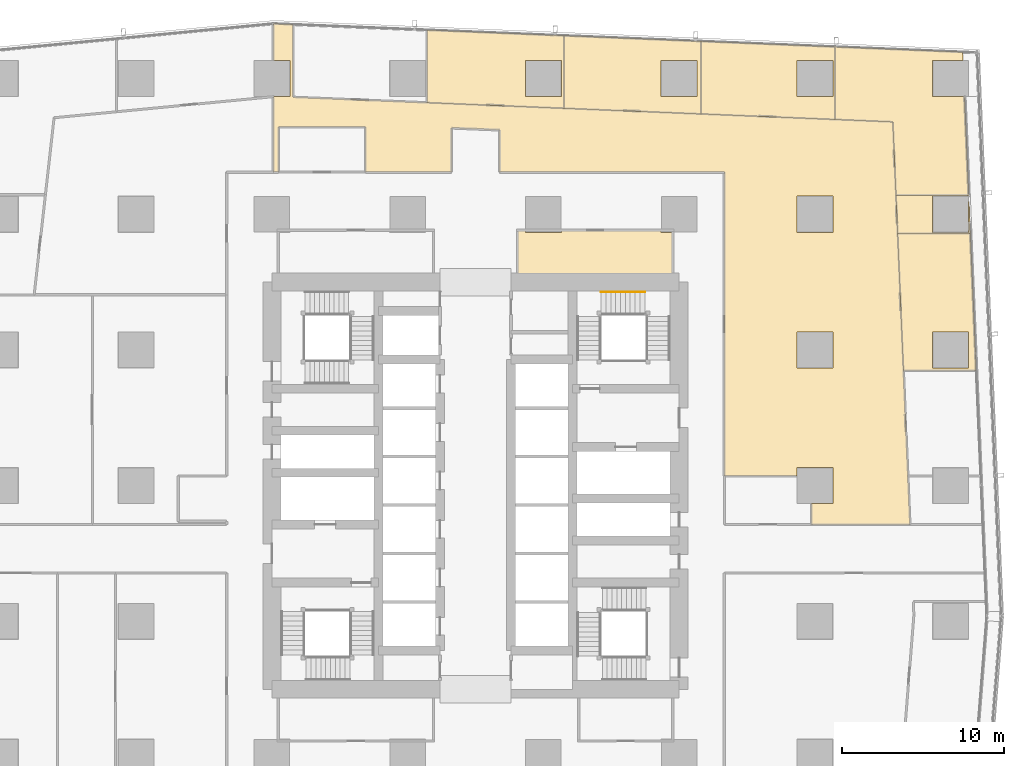
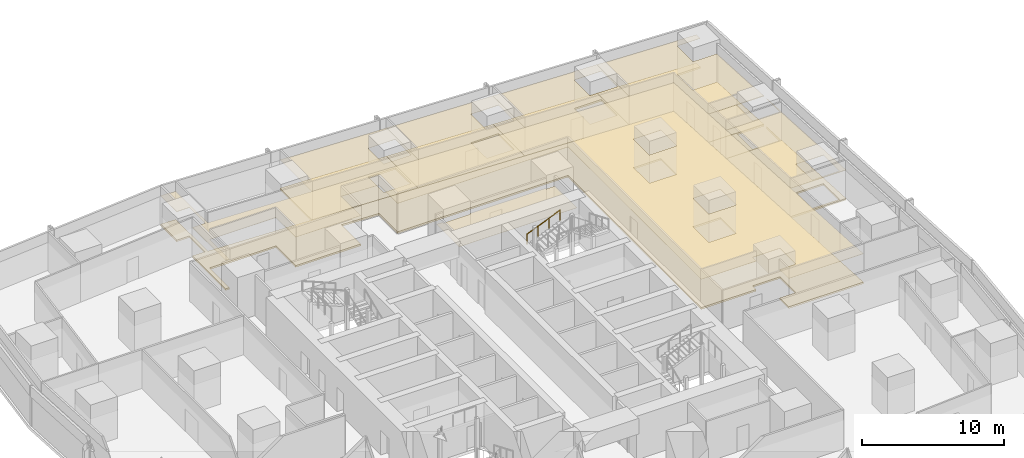
# One storey, part 45 of 45: 15 coverings, 1 railing.
"""IFC4 building model written with IfcOpenShell, lengths in metres."""

from ifc_helpers import new_model, si_unit, direction, frame, origin, origin_2d, place, context, subcontext, project, spatial, polyline, circle, outline, extrude, material, layer, layer_set, type_object, element, save


model = new_model("IFC4")

# Units and contexts
model_context = context("Model", 3, precision=1e-05, world=origin(), true_north=direction((0.0, 1.0)))
body_context = subcontext(model_context, "Body", "Model", "MODEL_VIEW")
ifc_project = project(units=[si_unit("LENGTHUNIT", "METRE"), si_unit("AREAUNIT", "SQUARE_METRE"), si_unit("VOLUMEUNIT", "CUBIC_METRE"), si_unit("PLANEANGLEUNIT", "RADIAN"), si_unit("MASSUNIT", "GRAM", prefix="KILO")], contexts=[model_context])

# Site, building, storey
site_placement = place(None, origin())
site = spatial("IfcSite", under=ifc_project, at=site_placement, CompositionType="ELEMENT")
building_placement = place(site_placement, origin())
building = spatial("IfcBuilding", under=site, at=building_placement, Name="Rekha Terrace Tower", CompositionType="ELEMENT")
storey_placement = place(building_placement, frame((0.0, 0.0, 36.64990234375)))
storey = spatial("IfcBuildingStorey", under=building, at=storey_placement, Name="L08", CompositionType="ELEMENT", Elevation=36.64990234375)

# Coverings
ifc_material_1 = material(Name="Mineral fibre tile in exposed grid", Category="finish")
ifc_layer_1 = layer(ifc_material_1, 0.02001953125)
ifc_layer_set_1 = layer_set([ifc_layer_1], Name="Mineral fibre tile in exposed grid")
covering_type_1 = type_object("IfcCoveringType", Name="CL1 600x1200 office grid ceiling", PredefinedType="CEILING", material=ifc_layer_set_1)
covering_1_placement = place(storey_placement, frame((0.0, 0.0, 2.580078125)))
element("IfcCovering", 1, at=covering_1_placement, inside=storey, type_object=covering_type_1, Name="Ceiling L08-11", PredefinedType="CEILING", context=body_context, shape_type="SweptSolid", body=[
    extrude(outline(polyline([(68.426025390625, 49.201904296875), (63.922119140625, 49.201904296875), (64.283935546875, 40.736083984375), (68.7880859375, 40.736083984375), (68.426025390625, 49.201904296875)]), holes=[polyline([(68.31494140625, 40.885009765625), (66.0849609375, 40.885009765625), (66.0849609375, 43.114990234375), (68.31494140625, 43.114990234375), (68.31494140625, 40.885009765625)])]), origin(), (0.0, 0.0, 1.0), 0.02001953125),
])
covering_2_placement = place(storey_placement, frame((0.0, 0.0, 2.580078125)))
element("IfcCovering", 2, at=covering_2_placement, inside=storey, type_object=covering_type_1, Name="Ceiling L08-12", PredefinedType="CEILING", context=body_context, shape_type="SweptSolid", body=[
    extrude(outline(polyline([(68.325927734375, 51.555908203125), (63.822021484375, 51.555908203125), (63.922119140625, 49.202880859375), (68.426025390625, 49.202880859375), (68.342041015625, 51.18408203125), (68.31494140625, 51.18310546875), (68.31494140625, 49.284912109375), (66.0849609375, 49.284912109375), (66.0849609375, 51.514892578125), (68.327880859375, 51.514892578125), (68.325927734375, 51.555908203125)])), origin(), (0.0, 0.0, 1.0), 0.02001953125),
])
covering_3_placement = place(storey_placement, frame((0.0, 0.0, 2.580078125)))
element("IfcCovering", 3, at=covering_3_placement, inside=storey, type_object=covering_type_1, Name="Ceiling L08-13", PredefinedType="CEILING", context=body_context, shape_type="SweptSolid", body=[
    extrude(outline(polyline([(60.0390625, 56.264892578125), (63.626953125, 56.116943359375), (63.822021484375, 51.556884765625), (68.325927734375, 51.556884765625), (68.06396484375, 57.68505859375), (66.0849609375, 57.68505859375), (66.0849609375, 59.9150390625), (67.968994140625, 59.9150390625), (67.946044921875, 60.443115234375), (60.0390625, 60.76904296875), (60.0390625, 56.264892578125)])), origin(), (0.0, 0.0, 1.0), 0.02001953125),
])
covering_4_placement = place(storey_placement, frame((0.0, 0.0, 2.580078125)))
element("IfcCovering", 4, at=covering_4_placement, inside=storey, type_object=covering_type_1, Name="Ceiling L08-14", PredefinedType="CEILING", context=body_context, shape_type="SweptSolid", body=[
    extrude(outline(polyline([(60.0380859375, 56.264892578125), (60.0380859375, 60.76904296875), (51.74609375, 61.111083984375), (51.74609375, 56.60693359375), (60.0380859375, 56.264892578125)]), holes=[polyline([(59.9150390625, 57.68505859375), (57.68505859375, 57.68505859375), (57.68505859375, 59.9150390625), (59.9150390625, 59.9150390625), (59.9150390625, 57.68505859375)])]), origin(), (0.0, 0.0, 1.0), 0.02001953125),
])
covering_5_placement = place(storey_placement, frame((0.0, 0.0, 2.580078125)))
element("IfcCovering", 5, at=covering_5_placement, inside=storey, type_object=covering_type_1, Name="Ceiling L08-15", PredefinedType="CEILING", context=body_context, shape_type="SweptSolid", body=[
    extrude(outline(polyline([(51.7451171875, 56.60693359375), (51.7451171875, 61.111083984375), (43.27294921875, 61.4599609375), (43.27294921875, 56.9560546875), (51.7451171875, 56.60693359375)]), holes=[polyline([(51.514892578125, 57.68505859375), (49.284912109375, 57.68505859375), (49.284912109375, 59.9150390625), (51.514892578125, 59.9150390625), (51.514892578125, 57.68505859375)])]), origin(), (0.0, 0.0, 1.0), 0.02001953125),
])
covering_6_placement = place(storey_placement, frame((0.0, 0.0, 2.580078125)))
element("IfcCovering", 6, at=covering_6_placement, inside=storey, type_object=covering_type_1, Name="Ceiling L08-16", PredefinedType="CEILING", context=body_context, shape_type="SweptSolid", body=[
    extrude(outline(polyline([(43.27197265625, 56.9560546875), (43.27197265625, 61.4599609375), (34.801025390625, 61.80908203125), (34.801025390625, 57.305908203125), (43.27197265625, 56.9560546875)]), holes=[polyline([(43.114990234375, 57.68505859375), (40.885009765625, 57.68505859375), (40.885009765625, 59.9150390625), (43.114990234375, 59.9150390625), (43.114990234375, 57.68505859375)])]), origin(), (0.0, 0.0, 1.0), 0.02001953125),
])
covering_7_placement = place(storey_placement, frame((0.0, 0.0, 2.580078125)))
element("IfcCovering", 7, at=covering_7_placement, inside=storey, type_object=covering_type_1, Name="Ceiling L08-O3", PredefinedType="CEILING", context=body_context, shape_type="SweptSolid", body=[
    extrude(outline(polyline([(43.27197265625, 56.9560546875), (34.800048828125, 57.305908203125), (26.510009765625, 57.64697265625), (26.510009765625, 62.15087890625), (25.325927734375, 62.199951171875), (25.291015625, 62.197021484375), (25.291015625, 59.9150390625), (26.31494140625, 59.9150390625), (26.31494140625, 57.68505859375), (25.291015625, 57.68505859375), (25.291015625, 53.0), (25.60009765625, 53.0), (25.60009765625, 55.794921875), (31.0, 55.794921875), (31.0, 53.0), (36.300048828125, 53.0), (36.300048828125, 55.742919921875), (39.300048828125, 55.618896484375), (39.300048828125, 53.0), (53.199951171875, 53.0), (53.199951171875, 34.199951171875), (57.68505859375, 34.199951171875), (57.68505859375, 34.715087890625), (59.9150390625, 34.715087890625), (59.9150390625, 32.485107421875), (58.60009765625, 32.485107421875), (58.60009765625, 31.199951171875), (64.69091796875, 31.199951171875), (64.56201171875, 34.216064453125), (64.282958984375, 40.7509765625), (63.9208984375, 49.218017578125), (63.821044921875, 51.572021484375), (63.626953125, 56.116943359375), (60.0380859375, 56.264892578125), (51.7451171875, 56.60693359375), (43.27197265625, 56.9560546875)]), holes=[polyline([(59.9150390625, 40.885009765625), (57.68505859375, 40.885009765625), (57.68505859375, 43.114990234375), (59.9150390625, 43.114990234375), (59.9150390625, 40.885009765625)]), polyline([(59.9150390625, 49.284912109375), (57.68505859375, 49.284912109375), (57.68505859375, 51.514892578125), (59.9150390625, 51.514892578125), (59.9150390625, 49.284912109375)])]), origin(), (0.0, 0.0, 1.0), 0.02001953125),
])
ifc_material_2 = material(Name="Fibre cement board", Category="finish")
ifc_layer_2 = layer(ifc_material_2, 0.014892578125)
ifc_layer_set_2 = layer_set([ifc_layer_2], Name="Fibre cement board")
covering_type_2 = type_object("IfcCoveringType", Name="CL2 moisture-resistant board ceiling", PredefinedType="CEILING", material=ifc_layer_set_2)
covering_8_placement = place(storey_placement, frame((0.0, 0.0, 2.585205078125)))
element("IfcCovering", 8, at=covering_8_placement, inside=storey, type_object=covering_type_2, Name="Ceiling L08-WCF", PredefinedType="CEILING", context=body_context, shape_type="SweptSolid", body=[
    extrude(outline(polyline([(40.885009765625, 49.39990234375), (40.39990234375, 49.39990234375), (40.39990234375, 46.199951171875), (50.0, 46.199951171875), (50.0, 49.284912109375), (49.284912109375, 49.284912109375), (49.284912109375, 49.39990234375), (43.114990234375, 49.39990234375), (43.114990234375, 49.284912109375), (40.885009765625, 49.284912109375), (40.885009765625, 49.39990234375)])), origin(), (0.0, 0.0, 1.0), 0.014892578125),
])

# Railing
ifc_material_3 = material(Name="Stainless steel tube", Category="steel")
railing_type = type_object("IfcRailingType", Name="HR1 900 stair handrail", PredefinedType="HANDRAIL", material=ifc_material_3)
railing_placement = place(storey_placement, frame((45.574951171875, 45.590087890625, 1.375)))
element("IfcRailing", 9, at=railing_placement, inside=storey, type_object=railing_type, Name="Handrail ST2 L08 flight 2", PredefinedType="HANDRAIL", context=body_context, shape_type="SweptSolid", body=[
    extrude(circle(Radius=0.02392578125, at=origin_2d()), frame((0.0, 0.0, 0.8759765625), z_axis=(0.923074453586, 0.0, 0.384621311341), x_axis=(0.0, 1.0, 0.0)), (0.0, 0.0, 1.0), 2.925048828125),
    extrude(circle(Radius=0.02099609375, at=origin_2d()), origin(), (0.0, 0.0, 1.0), 0.851806640625),
    extrude(circle(Radius=0.02099609375, at=origin_2d()), frame((0.89990234375, 0.0, 0.375)), (0.0, 0.0, 1.0), 0.851806640625),
    extrude(circle(Radius=0.02099609375, at=origin_2d()), frame((1.800048828125, 0.0, 0.75)), (0.0, 0.0, 1.0), 0.851806640625),
    extrude(circle(Radius=0.02099609375, at=origin_2d()), frame((2.699951171875, 0.0, 1.125)), (0.0, 0.0, 1.0), 0.851806640625),
])

# Coverings
ifc_material_4 = material(Name="Calcium sulphate panels on steel pedestals", Category="steel")
ifc_layer_3 = layer(ifc_material_4, 0.14990234375)
ifc_layer_set_3 = layer_set([ifc_layer_3], Name="Calcium sulphate panels on steel pedestals")
covering_type_3 = type_object("IfcCoveringType", Name="RF1 150 raised access floor", PredefinedType="FLOORING", material=ifc_layer_set_3)
covering_9_placement = place(storey_placement, origin())
element("IfcCovering", 10, at=covering_9_placement, inside=storey, type_object=covering_type_3, Name="Raised floor L08-11", PredefinedType="FLOORING", context=body_context, shape_type="SweptSolid", body=[
    extrude(outline(polyline([(68.426025390625, 49.201904296875), (63.922119140625, 49.201904296875), (64.283935546875, 40.736083984375), (68.7880859375, 40.736083984375), (68.426025390625, 49.201904296875)]), holes=[polyline([(68.31494140625, 40.885009765625), (66.0849609375, 40.885009765625), (66.0849609375, 43.114990234375), (68.31494140625, 43.114990234375), (68.31494140625, 40.885009765625)])]), origin(), (0.0, 0.0, 1.0), 0.150146484375),
])
covering_10_placement = place(storey_placement, origin())
element("IfcCovering", 11, at=covering_10_placement, inside=storey, type_object=covering_type_3, Name="Raised floor L08-12", PredefinedType="FLOORING", context=body_context, shape_type="SweptSolid", body=[
    extrude(outline(polyline([(68.325927734375, 51.555908203125), (63.822021484375, 51.555908203125), (63.922119140625, 49.202880859375), (68.426025390625, 49.202880859375), (68.342041015625, 51.18408203125), (68.31494140625, 51.18310546875), (68.31494140625, 49.284912109375), (66.0849609375, 49.284912109375), (66.0849609375, 51.514892578125), (68.327880859375, 51.514892578125), (68.325927734375, 51.555908203125)])), origin(), (0.0, 0.0, 1.0), 0.150146484375),
])
covering_11_placement = place(storey_placement, origin())
element("IfcCovering", 12, at=covering_11_placement, inside=storey, type_object=covering_type_3, Name="Raised floor L08-13", PredefinedType="FLOORING", context=body_context, shape_type="SweptSolid", body=[
    extrude(outline(polyline([(60.0390625, 56.264892578125), (63.626953125, 56.116943359375), (63.822021484375, 51.556884765625), (68.325927734375, 51.556884765625), (68.06396484375, 57.68505859375), (66.0849609375, 57.68505859375), (66.0849609375, 59.9150390625), (67.968994140625, 59.9150390625), (67.946044921875, 60.443115234375), (60.0390625, 60.76904296875), (60.0390625, 56.264892578125)])), origin(), (0.0, 0.0, 1.0), 0.150146484375),
])
covering_12_placement = place(storey_placement, origin())
element("IfcCovering", 13, at=covering_12_placement, inside=storey, type_object=covering_type_3, Name="Raised floor L08-14", PredefinedType="FLOORING", context=body_context, shape_type="SweptSolid", body=[
    extrude(outline(polyline([(60.0380859375, 56.264892578125), (60.0380859375, 60.76904296875), (51.74609375, 61.111083984375), (51.74609375, 56.60693359375), (60.0380859375, 56.264892578125)]), holes=[polyline([(59.9150390625, 57.68505859375), (57.68505859375, 57.68505859375), (57.68505859375, 59.9150390625), (59.9150390625, 59.9150390625), (59.9150390625, 57.68505859375)])]), origin(), (0.0, 0.0, 1.0), 0.150146484375),
])
covering_13_placement = place(storey_placement, origin())
element("IfcCovering", 14, at=covering_13_placement, inside=storey, type_object=covering_type_3, Name="Raised floor L08-15", PredefinedType="FLOORING", context=body_context, shape_type="SweptSolid", body=[
    extrude(outline(polyline([(51.7451171875, 56.60693359375), (51.7451171875, 61.111083984375), (43.27294921875, 61.4599609375), (43.27294921875, 56.9560546875), (51.7451171875, 56.60693359375)]), holes=[polyline([(51.514892578125, 57.68505859375), (49.284912109375, 57.68505859375), (49.284912109375, 59.9150390625), (51.514892578125, 59.9150390625), (51.514892578125, 57.68505859375)])]), origin(), (0.0, 0.0, 1.0), 0.150146484375),
])
covering_14_placement = place(storey_placement, origin())
element("IfcCovering", 15, at=covering_14_placement, inside=storey, type_object=covering_type_3, Name="Raised floor L08-16", PredefinedType="FLOORING", context=body_context, shape_type="SweptSolid", body=[
    extrude(outline(polyline([(43.27197265625, 56.9560546875), (43.27197265625, 61.4599609375), (34.801025390625, 61.80908203125), (34.801025390625, 57.305908203125), (43.27197265625, 56.9560546875)]), holes=[polyline([(43.114990234375, 57.68505859375), (40.885009765625, 57.68505859375), (40.885009765625, 59.9150390625), (43.114990234375, 59.9150390625), (43.114990234375, 57.68505859375)])]), origin(), (0.0, 0.0, 1.0), 0.150146484375),
])
covering_15_placement = place(storey_placement, origin())
element("IfcCovering", 16, at=covering_15_placement, inside=storey, type_object=covering_type_3, Name="Raised floor L08-O3", PredefinedType="FLOORING", context=body_context, shape_type="SweptSolid", body=[
    extrude(outline(polyline([(43.27197265625, 56.9560546875), (34.800048828125, 57.305908203125), (26.510009765625, 57.64697265625), (26.510009765625, 62.15087890625), (25.325927734375, 62.199951171875), (25.291015625, 62.197021484375), (25.291015625, 59.9150390625), (26.31494140625, 59.9150390625), (26.31494140625, 57.68505859375), (25.291015625, 57.68505859375), (25.291015625, 53.0), (25.60009765625, 53.0), (25.60009765625, 55.794921875), (31.0, 55.794921875), (31.0, 53.0), (36.300048828125, 53.0), (36.300048828125, 55.742919921875), (39.300048828125, 55.618896484375), (39.300048828125, 53.0), (53.199951171875, 53.0), (53.199951171875, 34.199951171875), (57.68505859375, 34.199951171875), (57.68505859375, 34.715087890625), (59.9150390625, 34.715087890625), (59.9150390625, 32.485107421875), (58.60009765625, 32.485107421875), (58.60009765625, 31.199951171875), (64.69091796875, 31.199951171875), (64.56201171875, 34.216064453125), (64.282958984375, 40.7509765625), (63.9208984375, 49.218017578125), (63.821044921875, 51.572021484375), (63.626953125, 56.116943359375), (60.0380859375, 56.264892578125), (51.7451171875, 56.60693359375), (43.27197265625, 56.9560546875)]), holes=[polyline([(59.9150390625, 40.885009765625), (57.68505859375, 40.885009765625), (57.68505859375, 43.114990234375), (59.9150390625, 43.114990234375), (59.9150390625, 40.885009765625)]), polyline([(59.9150390625, 49.284912109375), (57.68505859375, 49.284912109375), (57.68505859375, 51.514892578125), (59.9150390625, 51.514892578125), (59.9150390625, 49.284912109375)])]), origin(), (0.0, 0.0, 1.0), 0.150146484375),
])

save(model, "model.ifc")
